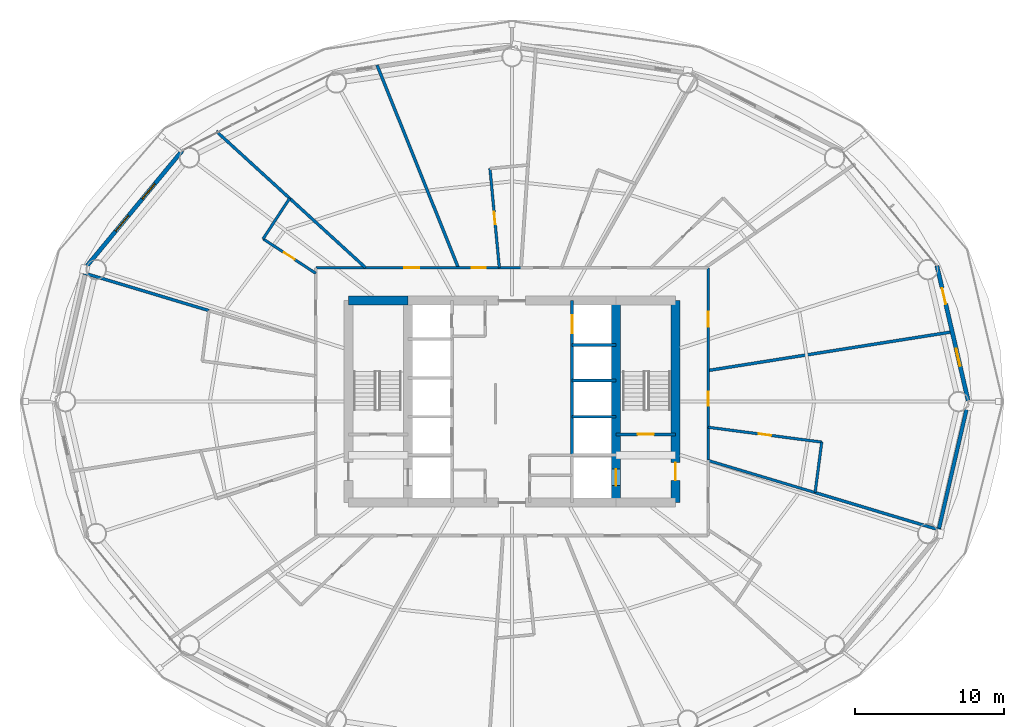
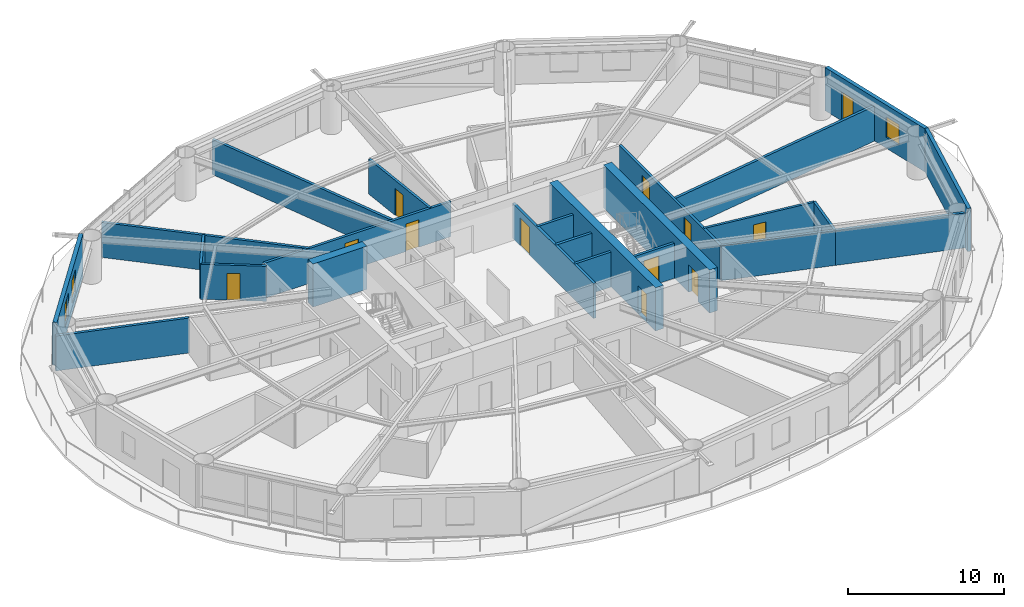
# One storey, part 22 of 26: 24 walls, 12 doors, 3 windows, 15 openings.
"""IFC4 building model written with IfcOpenShell, lengths in metres."""

from ifc_helpers import new_model, si_unit, direction, frame, frame_2d, origin, place, context, subcontext, project, spatial, rectangle, extrude, material, layer, layer_set, type_object, element, fill, save


model = new_model("IFC4")

# Units and contexts
model_context = context("Model", 3, precision=1e-05, world=origin(), true_north=direction((0.0, 1.0)))
body_context = subcontext(model_context, "Body", "Model", "MODEL_VIEW")
ifc_project = project(units=[si_unit("LENGTHUNIT", "METRE"), si_unit("AREAUNIT", "SQUARE_METRE"), si_unit("VOLUMEUNIT", "CUBIC_METRE"), si_unit("PLANEANGLEUNIT", "RADIAN"), si_unit("MASSUNIT", "GRAM", prefix="KILO")], contexts=[model_context])

# Site, building, storey
site_placement = place(None, origin())
site = spatial("IfcSite", under=ifc_project, at=site_placement, CompositionType="ELEMENT")
building_placement = place(site_placement, origin())
building = spatial("IfcBuilding", under=site, at=building_placement, Name="Sarneth Arch Tower", CompositionType="ELEMENT")
storey_placement = place(building_placement, frame((0.0, 0.0, 60.60009765625)))
storey = spatial("IfcBuildingStorey", under=building, at=storey_placement, Name="L14", CompositionType="ELEMENT", Elevation=60.60009765625)

# Wall
ifc_material_1 = material(Name="Concrete C60/75", Category="concrete")
ifc_layer_1 = layer(ifc_material_1, 0.60009765625)
ifc_layer_set_1 = layer_set([ifc_layer_1], Name="Concrete C60/75")
wall_type_1 = type_object("IfcWallType", Name="WALL-CORE-600", PredefinedType="SHEAR", material=ifc_layer_set_1)
wall_1_placement = place(storey_placement, frame((37.0, 48.800048828125, 0.0), z_axis=(0.0, 0.0, 1.0), x_axis=(1.0, 0.0, 0.0)))
element("IfcWall", 1, at=wall_1_placement, inside=storey, type_object=wall_type_1, Name="L14 Core shear wall N-W", PredefinedType="SHEAR", context=body_context, shape_type="SweptSolid", body=[
    extrude(rectangle(XDim=4.0, YDim=0.60009765625, at=frame_2d((2.0, 0.0))), origin(), (0.0, 0.0, 1.0), 3.3798828125),
])

# Wall, opening, door
wall_2_placement = place(storey_placement, frame((59.0, 35.199951171875, 0.0), z_axis=(0.0, 0.0, 1.0), x_axis=(0.0, 1.0, 0.0)))
wall_2 = element("IfcWall", 2, at=wall_2_placement, inside=storey, type_object=wall_type_1, Name="L14 Core shear wall E", PredefinedType="SHEAR", context=body_context, shape_type="SweptSolid", body=[
    extrude(rectangle(XDim=13.60009765625, YDim=0.60009765625, at=frame_2d((6.800048828125, 0.0))), origin(), (0.0, 0.0, 1.0), 3.3798828125),
])
opening_1_placement = place(wall_2_placement, frame((1.5, 0.0, 0.0)))
opening_1 = element("IfcOpeningElement", 3, at=opening_1_placement, cuts=wall_2, Name="Opening FD-02", PredefinedType="OPENING", context=body_context, shape_type="SweptSolid", body=[
    extrude(rectangle(XDim=1.199951171875, YDim=2.14990234375, at=frame_2d((0.60009765625, 1.074951171875))), frame((0.0, 0.31005859375, 0.0), z_axis=(0.0, -1.0, 0.0), x_axis=(1.0, 0.0, 0.0)), (0.0, 0.0, 1.0), 0.6201171875),
])
ifc_material_2 = material(Name="Galvanised Steel S275 fire door set", Category="steel")
door_type_1 = type_object("IfcDoorType", Name="DR-FD90-1200", OperationType="SINGLE_SWING_LEFT", PredefinedType="DOOR", material=ifc_material_2)
door_1_placement = place(opening_1_placement, origin())
door_1 = element("IfcDoor", 4, at=door_1_placement, inside=storey, type_object=door_type_1, Name="L14 Firefighting lobby 2 exit door", OperationType="SINGLE_SWING_RIGHT", OverallHeight=2.14990234375, OverallWidth=1.199951171875, PredefinedType="DOOR", context=body_context, shape_type="SweptSolid", body=[
    extrude(rectangle(XDim=1.199951171875, YDim=2.14990234375, at=frame_2d((0.60009765625, 1.074951171875))), frame((0.0, 0.02490234375, 0.0), z_axis=(0.0, -1.0, 0.0), x_axis=(1.0, 0.0, 0.0)), (0.0, 0.0, 1.0), 0.050048828125),
])
fill(opening_1, door_1)

wall_3_placement = place(storey_placement, frame((55.0, 35.199951171875, 0.0), z_axis=(0.0, 0.0, 1.0), x_axis=(0.0, 1.0, 0.0)))
wall_3 = element("IfcWall", 5, at=wall_3_placement, inside=storey, type_object=wall_type_1, Name="L14 Core shear wall WEB-E", PredefinedType="SHEAR", context=body_context, shape_type="SweptSolid", body=[
    extrude(rectangle(XDim=13.60009765625, YDim=0.60009765625, at=frame_2d((6.800048828125, 0.0))), origin(), (0.0, 0.0, 1.0), 3.3798828125),
])
opening_2_placement = place(wall_3_placement, frame((1.14990234375, 0.0, 0.0)))
opening_2 = element("IfcOpeningElement", 6, at=opening_2_placement, cuts=wall_3, Name="Opening LD-1", PredefinedType="OPENING", context=body_context, shape_type="SweptSolid", body=[
    extrude(rectangle(XDim=1.10009765625, YDim=2.199951171875, at=frame_2d((0.550048828125, 1.10009765625))), frame((0.0, 0.31005859375, 0.0), z_axis=(0.0, -1.0, 0.0), x_axis=(1.0, 0.0, 0.0)), (0.0, 0.0, 1.0), 0.6201171875),
])
ifc_material_3 = material(Name="Brushed Stainless Steel 304 lift landing door", Category="steel")
door_type_2 = type_object("IfcDoorType", Name="DR-LIFT-SLIDE-1100", OperationType="SLIDING_TO_LEFT", PredefinedType="DOOR", material=ifc_material_3)
door_2_placement = place(opening_2_placement, origin())
door_2 = element("IfcDoor", 7, at=door_2_placement, inside=storey, type_object=door_type_2, Name="L14 Firefighting lift landing door FL-2", OperationType="SLIDING_TO_RIGHT", OverallHeight=2.199951171875, OverallWidth=1.10009765625, PredefinedType="DOOR", context=body_context, shape_type="SweptSolid", body=[
    extrude(rectangle(XDim=1.10009765625, YDim=2.199951171875, at=frame_2d((0.550048828125, 1.10009765625))), frame((0.0, 0.02490234375, 0.0), z_axis=(0.0, -1.0, 0.0), x_axis=(1.0, 0.0, 0.0)), (0.0, 0.0, 1.0), 0.050048828125),
])
fill(opening_2, door_2)

# Wall, openings, doors
ifc_material_4 = material(Name="Double steel-stud corridor fire wall", Category="steel")
ifc_layer_2 = layer(ifc_material_4, 0.18994140625)
ifc_layer_set_2 = layer_set([ifc_layer_2], Name="Double steel-stud corridor fire wall")
wall_type_2 = type_object("IfcWallType", Name="WALL-CORR-190", PredefinedType="PARTITIONING", material=ifc_layer_set_2)
wall_4_placement = place(storey_placement, frame((61.199951171875, 51.0, 0.0), z_axis=(0.0, 0.0, 1.0), x_axis=(0.0, -1.0, 0.0)))
wall_4 = element("IfcWall", 8, at=wall_4_placement, inside=storey, type_object=wall_type_2, Name="L14 Interior partition W-L14-TP-002", PredefinedType="PARTITIONING", context=body_context, shape_type="SweptSolid", body=[
    extrude(rectangle(XDim=12.9638671875, YDim=0.18994140625, at=frame_2d((6.48193359375, 0.0))), origin(), (0.0, 0.0, 1.0), 2.739990234375),
])
opening_3_placement = place(wall_4_placement, frame((2.970703125, 0.0, 0.0)))
opening_3 = element("IfcOpeningElement", 9, at=opening_3_placement, cuts=wall_4, Name="Opening FD-08", PredefinedType="OPENING", context=body_context, shape_type="SweptSolid", body=[
    extrude(rectangle(XDim=1.0, YDim=2.199951171875, at=frame_2d((0.5, 1.10009765625))), frame((0.0, 0.10498046875, 0.0), z_axis=(0.0, -1.0, 0.0), x_axis=(1.0, 0.0, 0.0)), (0.0, 0.0, 1.0), 0.2099609375),
])
opening_4_placement = place(wall_4_placement, frame((8.343505859375, 0.0, 0.0)))
opening_4 = element("IfcOpeningElement", 10, at=opening_4_placement, cuts=wall_4, Name="Opening FD-09", PredefinedType="OPENING", context=body_context, shape_type="SweptSolid", body=[
    extrude(rectangle(XDim=0.949951171875, YDim=2.14990234375, at=frame_2d((0.47509765625, 1.074951171875))), frame((0.0, 0.10498046875, 0.0), z_axis=(0.0, -1.0, 0.0), x_axis=(1.0, 0.0, 0.0)), (0.0, 0.0, 1.0), 0.2099609375),
])
ifc_material_5 = material(Name="Hardwood timber acoustic fire door", Category="wood")
door_type_3 = type_object("IfcDoorType", Name="DR-FD60-1000", OperationType="SINGLE_SWING_LEFT", PredefinedType="DOOR", material=ifc_material_5)
door_3_placement = place(opening_3_placement, origin())
door_3 = element("IfcDoor", 11, at=door_3_placement, inside=storey, type_object=door_type_3, Name="L14 Interior door DR-L14-AMN-01", OperationType="SINGLE_SWING_LEFT", OverallHeight=2.199951171875, OverallWidth=1.0, PredefinedType="DOOR", context=body_context, shape_type="SweptSolid", body=[
    extrude(rectangle(XDim=1.0, YDim=2.199951171875, at=frame_2d((0.5, 1.10009765625))), frame((0.0, 0.02490234375, 0.0), z_axis=(0.0, -1.0, 0.0), x_axis=(1.0, 0.0, 0.0)), (0.0, 0.0, 1.0), 0.050048828125),
])
fill(opening_3, door_3)
ifc_material_6 = material(Name="Hardwood timber hotel entrance fire door", Category="wood")
door_type_4 = type_object("IfcDoorType", Name="DR-FD60-950", OperationType="SINGLE_SWING_RIGHT", PredefinedType="DOOR", material=ifc_material_6)
door_4_placement = place(opening_4_placement, origin())
door_4 = element("IfcDoor", 12, at=door_4_placement, inside=storey, type_object=door_type_4, Name="L14 Interior door DR-L14-KEY-14", OperationType="SINGLE_SWING_LEFT", OverallHeight=2.14990234375, OverallWidth=0.949951171875, PredefinedType="DOOR", context=body_context, shape_type="SweptSolid", body=[
    extrude(rectangle(XDim=0.949951171875, YDim=2.14990234375, at=frame_2d((0.47509765625, 1.074951171875))), frame((0.0, 0.02490234375, 0.0), z_axis=(0.0, -1.0, 0.0), x_axis=(1.0, 0.0, 0.0)), (0.0, 0.0, 1.0), 0.050048828125),
])
fill(opening_4, door_4)

wall_5_placement = place(storey_placement, frame((34.800048828125, 51.0, 0.0), z_axis=(0.0, 0.0, 1.0), x_axis=(1.0, 0.0, 0.0)))
wall_5 = element("IfcWall", 13, at=wall_5_placement, inside=storey, type_object=wall_type_2, Name="L14 Interior partition W-L14-TP-009", PredefinedType="PARTITIONING", context=body_context, shape_type="SweptSolid", body=[
    extrude(rectangle(XDim=13.8388671875, YDim=0.18994140625, at=frame_2d((6.91943359375, 0.0))), origin(), (0.0, 0.0, 1.0), 2.739990234375),
])
opening_5_placement = place(wall_5_placement, frame((5.96533203125, 0.0, 0.0)))
opening_5 = element("IfcOpeningElement", 14, at=opening_5_placement, cuts=wall_5, Name="Opening FD-08", PredefinedType="OPENING", context=body_context, shape_type="SweptSolid", body=[
    extrude(rectangle(XDim=1.0, YDim=2.199951171875, at=frame_2d((0.5, 1.10009765625))), frame((0.0, 0.10498046875, 0.0), z_axis=(0.0, -1.0, 0.0), x_axis=(1.0, 0.0, 0.0)), (0.0, 0.0, 1.0), 0.2099609375),
])
opening_6_placement = place(wall_5_placement, frame((10.493408203125, 0.0, 0.0)))
opening_6 = element("IfcOpeningElement", 15, at=opening_6_placement, cuts=wall_5, Name="Opening FD-09", PredefinedType="OPENING", context=body_context, shape_type="SweptSolid", body=[
    extrude(rectangle(XDim=0.949951171875, YDim=2.14990234375, at=frame_2d((0.47509765625, 1.074951171875))), frame((0.0, 0.10498046875, 0.0), z_axis=(0.0, -1.0, 0.0), x_axis=(1.0, 0.0, 0.0)), (0.0, 0.0, 1.0), 0.2099609375),
])
door_5_placement = place(opening_5_placement, origin())
door_5 = element("IfcDoor", 16, at=door_5_placement, inside=storey, type_object=door_type_3, Name="L14 Interior door DR-L14-AMN-05", OperationType="SINGLE_SWING_LEFT", OverallHeight=2.199951171875, OverallWidth=1.0, PredefinedType="DOOR", context=body_context, shape_type="SweptSolid", body=[
    extrude(rectangle(XDim=1.0, YDim=2.199951171875, at=frame_2d((0.5, 1.10009765625))), frame((0.0, 0.02490234375, 0.0), z_axis=(0.0, -1.0, 0.0), x_axis=(1.0, 0.0, 0.0)), (0.0, 0.0, 1.0), 0.050048828125),
])
fill(opening_5, door_5)
door_6_placement = place(opening_6_placement, origin())
door_6 = element("IfcDoor", 17, at=door_6_placement, inside=storey, type_object=door_type_4, Name="L14 Interior door DR-L14-KEY-04", OperationType="SINGLE_SWING_LEFT", OverallHeight=2.14990234375, OverallWidth=0.949951171875, PredefinedType="DOOR", context=body_context, shape_type="SweptSolid", body=[
    extrude(rectangle(XDim=0.949951171875, YDim=2.14990234375, at=frame_2d((0.47509765625, 1.074951171875))), frame((0.0, 0.02490234375, 0.0), z_axis=(0.0, -1.0, 0.0), x_axis=(1.0, 0.0, 0.0)), (0.0, 0.0, 1.0), 0.050048828125),
])
fill(opening_6, door_6)

# Wall
ifc_material_7 = material(Name="Extruded terracotta rainscreen on Concrete C40/50 backing", Category="masonry")
ifc_layer_3 = layer(ifc_material_7, 0.25)
ifc_layer_set_3 = layer_set([ifc_layer_3], Name="Extruded terracotta rainscreen on Concrete C40/50 backing")
wall_type_3 = type_object("IfcWallType", Name="WALL-EXT-SPAND-250", PredefinedType="SOLIDWALL", material=ifc_layer_set_3)
wall_6_placement = place(storey_placement, frame((76.5810546875, 32.861572265625, 0.0), z_axis=(0.0, 0.0, 1.0), x_axis=(0.225454452941, 0.974253709076, 0.0)))
element("IfcWall", 18, at=wall_6_placement, inside=storey, type_object=wall_type_3, Name="L14 Terracotta perimeter wall 16", PredefinedType="SOLIDWALL", context=body_context, shape_type="SweptSolid", body=[
    extrude(rectangle(XDim=9.3798828125, YDim=0.25, at=frame_2d((4.68994140625, 0.0))), origin(), (0.0, 0.0, 1.0), 3.3798828125),
])

# Wall, openings, door, window
ifc_material_8 = material(Name="Extruded terracotta rainscreen on Concrete C40/50 backing", Category="masonry")
ifc_layer_4 = layer(ifc_material_8, 0.280029296875)
ifc_layer_set_4 = layer_set([ifc_layer_4], Name="Extruded terracotta rainscreen on Concrete C40/50 backing")
wall_type_4 = type_object("IfcWallType", Name="WALL-EXT-TERRA-280", PredefinedType="SOLIDWALL", material=ifc_layer_set_4)
wall_7_placement = place(storey_placement, frame((78.69580078125, 42.0, 0.0), z_axis=(0.0, 0.0, 1.0), x_axis=(-0.225454452941, 0.974253709076, 0.0)))
wall_7 = element("IfcWall", 19, at=wall_7_placement, inside=storey, type_object=wall_type_4, Name="L14 Terracotta perimeter wall 01", PredefinedType="SOLIDWALL", context=body_context, shape_type="SweptSolid", body=[
    extrude(rectangle(XDim=9.3798828125, YDim=0.280029296875, at=frame_2d((4.68994140625, 0.0))), origin(), (0.0, 0.0, 1.0), 3.3798828125),
])
opening_7_placement = place(wall_7_placement, frame((2.4521484375, 0.0, 0.85009765625)))
opening_7 = element("IfcOpeningElement", 20, at=opening_7_placement, cuts=wall_7, Name="Opening W-10", PredefinedType="OPENING", context=body_context, shape_type="SweptSolid", body=[
    extrude(rectangle(XDim=1.199951171875, YDim=1.60009765625, at=frame_2d((0.60009765625, 0.800048828125))), frame((0.0, 0.14990234375, 0.0), z_axis=(0.0, -1.0, 0.0), x_axis=(1.0, 0.0, 0.0)), (0.0, 0.0, 1.0), 0.300048828125),
])
opening_8_placement = place(wall_7_placement, frame((6.735107421875, 0.0, 0.0)))
opening_8 = element("IfcOpeningElement", 21, at=opening_8_placement, cuts=wall_7, Name="Opening BD-3", PredefinedType="OPENING", context=body_context, shape_type="SweptSolid", body=[
    extrude(rectangle(XDim=1.10009765625, YDim=2.25, at=frame_2d((0.550048828125, 1.125))), frame((0.0, 0.14990234375, 0.0), z_axis=(0.0, -1.0, 0.0), x_axis=(1.0, 0.0, 0.0)), (0.0, 0.0, 1.0), 0.300048828125),
])
ifc_material_9 = material(Name="Thermally broken Aluminium 6063-T6 and laminated safety glass", Category="aluminium")
door_type_5 = type_object("IfcDoorType", Name="DR-BALC-GLZ-1100", OperationType="SINGLE_SWING_LEFT", PredefinedType="DOOR", material=ifc_material_9)
door_7_placement = place(opening_8_placement, origin())
door_7 = element("IfcDoor", 22, at=door_7_placement, inside=storey, type_object=door_type_5, Name="L14 Balcony glazed door 01", OperationType="SINGLE_SWING_LEFT", OverallHeight=2.25, OverallWidth=1.10009765625, PredefinedType="DOOR", context=body_context, shape_type="SweptSolid", body=[
    extrude(rectangle(XDim=1.10009765625, YDim=2.25, at=frame_2d((0.550048828125, 1.125))), frame((0.0, 0.02490234375, 0.0), z_axis=(0.0, -1.0, 0.0), x_axis=(1.0, 0.0, 0.0)), (0.0, 0.0, 1.0), 0.050048828125),
])
fill(opening_8, door_7)
ifc_material_10 = material(Name="Thermally broken Aluminium 6063-T6 and low-e laminated IGU", Category="aluminium")
window_type_1 = type_object("IfcWindowType", Name="WIN-TWR-1200x1600", PartitioningType="SINGLE_PANEL", PredefinedType="WINDOW", material=ifc_material_10)
window_1_placement = place(opening_7_placement, origin())
window_1 = element("IfcWindow", 23, at=window_1_placement, inside=storey, type_object=window_type_1, Name="L14 Exterior window 01A", OverallHeight=1.60009765625, OverallWidth=1.199951171875, PartitioningType="SINGLE_PANEL", PredefinedType="WINDOW", context=body_context, shape_type="SweptSolid", body=[
    extrude(rectangle(XDim=1.199951171875, YDim=1.60009765625, at=frame_2d((0.60009765625, 0.800048828125))), frame((0.0, 0.030029296875, 0.0), z_axis=(0.0, -1.0, 0.0), x_axis=(1.0, 0.0, 0.0)), (0.0, 0.0, 1.0), 0.06005859375),
])
fill(opening_7, window_1)

# Wall, openings, windows
wall_8_placement = place(storey_placement, frame((25.825927734375, 58.8857421875, 0.0), z_axis=(0.0, 0.0, 1.0), x_axis=(-0.637296809613, -0.770618437657, 0.0)))
wall_8 = element("IfcWall", 24, at=wall_8_placement, inside=storey, type_object=wall_type_4, Name="L14 Terracotta perimeter wall 07", PredefinedType="SOLIDWALL", context=body_context, shape_type="SweptSolid", body=[
    extrude(rectangle(XDim=10.053466796875, YDim=0.280029296875, at=frame_2d((5.02685546875, 0.0))), origin(), (0.0, 0.0, 1.0), 3.3798828125),
])
opening_9_placement = place(wall_8_placement, frame((2.89794921875, 0.0, 0.85009765625)))
opening_9 = element("IfcOpeningElement", 25, at=opening_9_placement, cuts=wall_8, Name="Opening W-08", PredefinedType="OPENING", context=body_context, shape_type="SweptSolid", body=[
    extrude(rectangle(XDim=1.35009765625, YDim=1.800048828125, at=frame_2d((0.675048828125, 0.89990234375))), frame((0.0, 0.14990234375, 0.0), z_axis=(0.0, -1.0, 0.0), x_axis=(1.0, 0.0, 0.0)), (0.0, 0.0, 1.0), 0.300048828125),
])
opening_10_placement = place(wall_8_placement, frame((5.6796875, 0.0, 0.85009765625)))
opening_10 = element("IfcOpeningElement", 26, at=opening_10_placement, cuts=wall_8, Name="Opening W-08", PredefinedType="OPENING", context=body_context, shape_type="SweptSolid", body=[
    extrude(rectangle(XDim=1.35009765625, YDim=1.800048828125, at=frame_2d((0.675048828125, 0.89990234375))), frame((0.0, 0.14990234375, 0.0), z_axis=(0.0, -1.0, 0.0), x_axis=(1.0, 0.0, 0.0)), (0.0, 0.0, 1.0), 0.300048828125),
])
ifc_material_11 = material(Name="Thermally broken Aluminium 6063-T6 and low-e laminated IGU", Category="aluminium")
window_type_2 = type_object("IfcWindowType", Name="WIN-TWR-1350x1800", PartitioningType="SINGLE_PANEL", PredefinedType="WINDOW", material=ifc_material_11)
window_2_placement = place(opening_9_placement, origin())
window_2 = element("IfcWindow", 27, at=window_2_placement, inside=storey, type_object=window_type_2, Name="L14 Exterior window 07A", OverallHeight=1.800048828125, OverallWidth=1.35009765625, PartitioningType="SINGLE_PANEL", PredefinedType="WINDOW", context=body_context, shape_type="SweptSolid", body=[
    extrude(rectangle(XDim=1.35009765625, YDim=1.800048828125, at=frame_2d((0.675048828125, 0.89990234375))), frame((0.0, 0.030029296875, 0.0), z_axis=(0.0, -1.0, 0.0), x_axis=(1.0, 0.0, 0.0)), (0.0, 0.0, 1.0), 0.06005859375),
])
fill(opening_9, window_2)
window_3_placement = place(opening_10_placement, origin())
window_3 = element("IfcWindow", 28, at=window_3_placement, inside=storey, type_object=window_type_2, Name="L14 Exterior window 07B", OverallHeight=1.800048828125, OverallWidth=1.35009765625, PartitioningType="SINGLE_PANEL", PredefinedType="WINDOW", context=body_context, shape_type="SweptSolid", body=[
    extrude(rectangle(XDim=1.35009765625, YDim=1.800048828125, at=frame_2d((0.675048828125, 0.89990234375))), frame((0.0, 0.030029296875, 0.0), z_axis=(0.0, -1.0, 0.0), x_axis=(1.0, 0.0, 0.0)), (0.0, 0.0, 1.0), 0.06005859375),
])
fill(opening_10, window_3)

# Wall, opening, door
ifc_material_12 = material(Name="Moisture-resistant plumbing chase wall", Category="gypsum")
ifc_layer_5 = layer(ifc_material_12, 0.179931640625)
ifc_layer_set_5 = layer_set([ifc_layer_5], Name="Moisture-resistant plumbing chase wall")
wall_type_5 = type_object("IfcWallType", Name="WALL-PLUMB-180", PredefinedType="PLUMBINGWALL", material=ifc_layer_set_5)
wall_9_placement = place(storey_placement, frame((61.199951171875, 40.272216796875, 0.0), z_axis=(0.0, 0.0, 1.0), x_axis=(0.991543548491, -0.129774386708, 0.0)))
wall_9 = element("IfcWall", 29, at=wall_9_placement, inside=storey, type_object=wall_type_5, Name="L14 Interior partition W-L14-TP-071", PredefinedType="PLUMBINGWALL", context=body_context, shape_type="SweptSolid", body=[
    extrude(rectangle(XDim=7.6982421875, YDim=0.179931640625, at=frame_2d((3.84912109375, 0.0))), origin(), (0.0, 0.0, 1.0), 2.739990234375),
])
opening_11_placement = place(wall_9_placement, frame((3.424072265625, 0.0, 0.0)))
opening_11 = element("IfcOpeningElement", 30, at=opening_11_placement, cuts=wall_9, Name="Opening ID-02", PredefinedType="OPENING", context=body_context, shape_type="SweptSolid", body=[
    extrude(rectangle(XDim=0.85009765625, YDim=2.10009765625, at=frame_2d((0.425048828125, 1.050048828125))), frame((0.0, 0.099853515625, 0.0), z_axis=(0.0, -1.0, 0.0), x_axis=(1.0, 0.0, 0.0)), (0.0, 0.0, 1.0), 0.199951171875),
])
ifc_material_13 = material(Name="Moisture-resistant bathroom timber door", Category="wood")
door_type_6 = type_object("IfcDoorType", Name="DR-INT-850", OperationType="SINGLE_SWING_RIGHT", PredefinedType="DOOR", material=ifc_material_13)
door_8_placement = place(opening_11_placement, origin())
door_8 = element("IfcDoor", 31, at=door_8_placement, inside=storey, type_object=door_type_6, Name="L14 Interior door DR-L14-ENS-14", OperationType="SINGLE_SWING_LEFT", OverallHeight=2.10009765625, OverallWidth=0.85009765625, PredefinedType="DOOR", context=body_context, shape_type="SweptSolid", body=[
    extrude(rectangle(XDim=0.85009765625, YDim=2.10009765625, at=frame_2d((0.425048828125, 1.050048828125))), frame((0.0, 0.02490234375, 0.0), z_axis=(0.0, -1.0, 0.0), x_axis=(1.0, 0.0, 0.0)), (0.0, 0.0, 1.0), 0.050048828125),
])
fill(opening_11, door_8)

# Wall
wall_10_placement = place(storey_placement, frame((68.388427734375, 35.877685546875, 0.0), z_axis=(0.0, 0.0, 1.0), x_axis=(-0.95775642604, 0.28758064674, 0.0)))
element("IfcWall", 32, at=wall_10_placement, inside=storey, type_object=wall_type_5, Name="L14 Interior partition W-L14-TP-070", PredefinedType="PLUMBINGWALL", context=body_context, shape_type="SweptSolid", body=[
    extrude(rectangle(XDim=7.505615234375, YDim=0.179931640625, at=frame_2d((3.7529296875, 0.0))), origin(), (0.0, 0.0, 1.0), 2.739990234375),
])

# Wall, opening, door
wall_11_placement = place(storey_placement, frame((46.518310546875, 57.673828125, 0.0), z_axis=(0.0, 0.0, 1.0), x_axis=(0.094107851527, -0.995562008255, 0.0)))
wall_11 = element("IfcWall", 33, at=wall_11_placement, inside=storey, type_object=wall_type_5, Name="L14 Interior partition W-L14-TP-041", PredefinedType="PLUMBINGWALL", context=body_context, shape_type="SweptSolid", body=[
    extrude(rectangle(XDim=6.70361328125, YDim=0.179931640625, at=frame_2d((3.351806640625, 0.0))), origin(), (0.0, 0.0, 1.0), 2.739990234375),
])
opening_12_placement = place(wall_11_placement, frame((2.9267578125, 0.0, 0.0)))
opening_12 = element("IfcOpeningElement", 34, at=opening_12_placement, cuts=wall_11, Name="Opening ID-02", PredefinedType="OPENING", context=body_context, shape_type="SweptSolid", body=[
    extrude(rectangle(XDim=0.85009765625, YDim=2.10009765625, at=frame_2d((0.425048828125, 1.050048828125))), frame((0.0, 0.099853515625, 0.0), z_axis=(0.0, -1.0, 0.0), x_axis=(1.0, 0.0, 0.0)), (0.0, 0.0, 1.0), 0.199951171875),
])
door_9_placement = place(opening_12_placement, origin())
door_9 = element("IfcDoor", 35, at=door_9_placement, inside=storey, type_object=door_type_6, Name="L14 Interior door DR-L14-ENS-04", OperationType="SINGLE_SWING_RIGHT", OverallHeight=2.10009765625, OverallWidth=0.85009765625, PredefinedType="DOOR", context=body_context, shape_type="SweptSolid", body=[
    extrude(rectangle(XDim=0.85009765625, YDim=2.10009765625, at=frame_2d((0.425048828125, 1.050048828125))), frame((0.0, 0.02490234375, 0.0), z_axis=(0.0, -1.0, 0.0), x_axis=(1.0, 0.0, 0.0)), (0.0, 0.0, 1.0), 0.050048828125),
])
fill(opening_12, door_9)

wall_12_placement = place(storey_placement, frame((31.25830078125, 52.943603515625, 0.0), z_axis=(0.0, 0.0, 1.0), x_axis=(0.837031612028, -0.5471545307, 0.0)))
wall_12 = element("IfcWall", 36, at=wall_12_placement, inside=storey, type_object=wall_type_5, Name="L14 Interior partition W-L14-TP-046", PredefinedType="PLUMBINGWALL", context=body_context, shape_type="SweptSolid", body=[
    extrude(rectangle(XDim=4.231201171875, YDim=0.179931640625, at=frame_2d((2.11572265625, 0.0))), origin(), (0.0, 0.0, 1.0), 2.739990234375),
])
opening_13_placement = place(wall_12_placement, frame((1.690673828125, 0.0, 0.0)))
opening_13 = element("IfcOpeningElement", 37, at=opening_13_placement, cuts=wall_12, Name="Opening ID-02", PredefinedType="OPENING", context=body_context, shape_type="SweptSolid", body=[
    extrude(rectangle(XDim=0.85009765625, YDim=2.10009765625, at=frame_2d((0.425048828125, 1.050048828125))), frame((0.0, 0.099853515625, 0.0), z_axis=(0.0, -1.0, 0.0), x_axis=(1.0, 0.0, 0.0)), (0.0, 0.0, 1.0), 0.199951171875),
])
door_10_placement = place(opening_13_placement, origin())
door_10 = element("IfcDoor", 38, at=door_10_placement, inside=storey, type_object=door_type_6, Name="L14 Interior door DR-L14-ENS-06", OperationType="SINGLE_SWING_LEFT", OverallHeight=2.10009765625, OverallWidth=0.85009765625, PredefinedType="DOOR", context=body_context, shape_type="SweptSolid", body=[
    extrude(rectangle(XDim=0.85009765625, YDim=2.10009765625, at=frame_2d((0.425048828125, 1.050048828125))), frame((0.0, 0.02490234375, 0.0), z_axis=(0.0, -1.0, 0.0), x_axis=(1.0, 0.0, 0.0)), (0.0, 0.0, 1.0), 0.050048828125),
])
fill(opening_13, door_10)

# Walls
wall_13_placement = place(storey_placement, frame((68.8330078125, 39.273193359375, 0.0), z_axis=(0.0, 0.0, 1.0), x_axis=(-0.129823772588, -0.991537083558, 0.0)))
element("IfcWall", 39, at=wall_13_placement, inside=storey, type_object=wall_type_5, Name="L14 Interior partition W-L14-TP-072", PredefinedType="PLUMBINGWALL", context=body_context, shape_type="SweptSolid", body=[
    extrude(rectangle(XDim=3.424560546875, YDim=0.179931640625, at=frame_2d((1.71240234375, 0.0))), origin(), (0.0, 0.0, 1.0), 2.739990234375),
])
wall_14_placement = place(storey_placement, frame((33.0419921875, 55.672119140625, 0.0), z_axis=(0.0, 0.0, 1.0), x_axis=(-0.547176717469, -0.837017108463, 0.0)))
element("IfcWall", 40, at=wall_14_placement, inside=storey, type_object=wall_type_5, Name="L14 Interior partition W-L14-TP-045", PredefinedType="PLUMBINGWALL", context=body_context, shape_type="SweptSolid", body=[
    extrude(rectangle(XDim=3.259765625, YDim=0.179931640625, at=frame_2d((1.6298828125, 0.0))), origin(), (0.0, 0.0, 1.0), 2.739990234375),
])

# Wall, opening, door
ifc_material_14 = material(Name="Aerated concrete blockwork C25/30", Category="masonry")
ifc_layer_6 = layer(ifc_material_14, 0.199951171875)
ifc_layer_set_6 = layer_set([ifc_layer_6], Name="Aerated concrete blockwork C25/30")
wall_type_6 = type_object("IfcWallType", Name="WALL-SHAFT-200", PredefinedType="SOLIDWALL", material=ifc_layer_set_6)
wall_15_placement = place(storey_placement, frame((55.0, 39.800048828125, 0.0), z_axis=(0.0, 0.0, 1.0), x_axis=(1.0, 0.0, 0.0)))
wall_15 = element("IfcWall", 41, at=wall_15_placement, inside=storey, type_object=wall_type_6, Name="L14 Interior partition W-L14-ST2-S", PredefinedType="SOLIDWALL", context=body_context, shape_type="SweptSolid", body=[
    extrude(rectangle(XDim=4.0, YDim=0.199951171875, at=frame_2d((2.0, 0.0))), origin(), (0.0, 0.0, 1.0), 2.739990234375),
])
opening_14_placement = place(wall_15_placement, frame((1.449951171875, 0.0, 0.0)))
opening_14 = element("IfcOpeningElement", 42, at=opening_14_placement, cuts=wall_15, Name="Opening FD-03", PredefinedType="OPENING", context=body_context, shape_type="SweptSolid", body=[
    extrude(rectangle(XDim=1.10009765625, YDim=2.14990234375, at=frame_2d((0.550048828125, 1.074951171875))), frame((0.0, 0.10986328125, 0.0), z_axis=(0.0, -1.0, 0.0), x_axis=(1.0, 0.0, 0.0)), (0.0, 0.0, 1.0), 0.219970703125),
])
ifc_material_15 = material(Name="Galvanised Steel S275 fire door set", Category="steel")
door_type_7 = type_object("IfcDoorType", Name="DR-FD90-1100", OperationType="SINGLE_SWING_LEFT", PredefinedType="DOOR", material=ifc_material_15)
door_11_placement = place(opening_14_placement, origin())
door_11 = element("IfcDoor", 43, at=door_11_placement, inside=storey, type_object=door_type_7, Name="L14 Interior door DR-L14-ST2", OperationType="SINGLE_SWING_RIGHT", OverallHeight=2.14990234375, OverallWidth=1.10009765625, PredefinedType="DOOR", context=body_context, shape_type="SweptSolid", body=[
    extrude(rectangle(XDim=1.10009765625, YDim=2.14990234375, at=frame_2d((0.550048828125, 1.074951171875))), frame((0.0, 0.02490234375, 0.0), z_axis=(0.0, -1.0, 0.0), x_axis=(1.0, 0.0, 0.0)), (0.0, 0.0, 1.0), 0.050048828125),
])
fill(opening_14, door_11)

wall_16_placement = place(storey_placement, frame((52.050048828125, 38.39990234375, 0.0), z_axis=(0.0, 0.0, 1.0), x_axis=(0.0, 1.0, 0.0)))
wall_16 = element("IfcWall", 44, at=wall_16_placement, inside=storey, type_object=wall_type_6, Name="L14 Interior partition W-L14-EASTBANK-FRONT", PredefinedType="SOLIDWALL", context=body_context, shape_type="SweptSolid", body=[
    extrude(rectangle(XDim=10.400146484375, YDim=0.199951171875, at=frame_2d((5.2001953125, 0.0))), origin(), (0.0, 0.0, 1.0), 2.739990234375),
])
opening_15_placement = place(wall_16_placement, frame((8.199951171875, 0.0, 0.0)))
opening_15 = element("IfcOpeningElement", 45, at=opening_15_placement, cuts=wall_16, Name="Opening LD-2", PredefinedType="OPENING", context=body_context, shape_type="SweptSolid", body=[
    extrude(rectangle(XDim=1.199951171875, YDim=2.199951171875, at=frame_2d((0.60009765625, 1.10009765625))), frame((0.0, 0.10986328125, 0.0), z_axis=(0.0, -1.0, 0.0), x_axis=(1.0, 0.0, 0.0)), (0.0, 0.0, 1.0), 0.219970703125),
])
ifc_material_16 = material(Name="Brushed Stainless Steel 304 service lift door", Category="steel")
door_type_8 = type_object("IfcDoorType", Name="DR-LIFT-SLIDE-1200", OperationType="SLIDING_TO_RIGHT", PredefinedType="DOOR", material=ifc_material_16)
door_12_placement = place(opening_15_placement, origin())
door_12 = element("IfcDoor", 46, at=door_12_placement, inside=storey, type_object=door_type_8, Name="L14 Lift landing door DR-L14-LD-SL1", OperationType="SLIDING_TO_RIGHT", OverallHeight=2.199951171875, OverallWidth=1.199951171875, PredefinedType="DOOR", context=body_context, shape_type="SweptSolid", body=[
    extrude(rectangle(XDim=1.199951171875, YDim=2.199951171875, at=frame_2d((0.60009765625, 1.10009765625))), frame((0.0, 0.02490234375, 0.0), z_axis=(0.0, -1.0, 0.0), x_axis=(1.0, 0.0, 0.0)), (0.0, 0.0, 1.0), 0.050048828125),
])
fill(opening_15, door_12)

# Walls
for number, where, z_axis, x_axis, name in (
    (47, (52.050048828125, 40.97998046875, 0.0), (0.0, 0.0, 1.0), (1.0, 0.0, 0.0), "L14 Interior partition W-L14-EB-DIV-4098"),
    (48, (52.050048828125, 43.419921875, 0.0), (0.0, 0.0, 1.0), (1.0, 0.0, 0.0), "L14 Interior partition W-L14-EB-DIV-4342"),
    (49, (52.050048828125, 45.800048828125, 0.0), (0.0, 0.0, 1.0), (1.0, 0.0, 0.0), "L14 Interior partition W-L14-EB-DIV-4580"),
):
    element("IfcWall", number, at=place(storey_placement, frame(where, z_axis=z_axis, x_axis=x_axis)), inside=storey, type_object=wall_type_6, Name=name, PredefinedType="SOLIDWALL", context=body_context, shape_type="SweptSolid", body=[
        extrude(rectangle(XDim=2.949951171875, YDim=0.199951171875, at=frame_2d((1.47509765625, 0.0))), origin(), (0.0, 0.0, 1.0), 2.739990234375),
    ])
ifc_material_17 = material(Name="Double steel-stud acoustic drywall", Category="steel")
ifc_layer_7 = layer(ifc_material_17, 0.199951171875)
ifc_layer_set_7 = layer_set([ifc_layer_7], Name="Double steel-stud acoustic drywall")
wall_type_7 = type_object("IfcWallType", Name="WALL-UNIT-200", PredefinedType="PARTITIONING", material=ifc_layer_set_7)
wall_17_placement = place(storey_placement, frame((61.199951171875, 44.0908203125, 0.0), z_axis=(0.0, 0.0, 1.0), x_axis=(0.987690823911, 0.156418785194, 0.0)))
element("IfcWall", 50, at=wall_17_placement, inside=storey, type_object=wall_type_7, Name="L14 Interior partition W-L14-TP-031", PredefinedType="PARTITIONING", context=body_context, shape_type="SweptSolid", body=[
    extrude(rectangle(XDim=16.735107421875, YDim=0.199951171875, at=frame_2d((8.36767578125, 0.0))), origin(), (0.0, 0.0, 1.0), 2.739990234375),
])
wall_18_placement = place(storey_placement, frame((44.389892578125, 51.0, 0.0), z_axis=(0.0, 0.0, 1.0), x_axis=(-0.372301847193, 0.928111703717, 0.0)))
element("IfcWall", 51, at=wall_18_placement, inside=storey, type_object=wall_type_7, Name="L14 Interior partition W-L14-TP-042", PredefinedType="PARTITIONING", context=body_context, shape_type="SweptSolid", body=[
    extrude(rectangle(XDim=14.687744140625, YDim=0.199951171875, at=frame_2d((7.34375, 0.0))), origin(), (0.0, 0.0, 1.0), 2.739990234375),
])
for number, where, z_axis, x_axis, name in (
    (52, (76.816162109375, 33.346923828125, 0.0), (0.0, 0.0, 1.0), (-0.957749889613, 0.287602414708, 0.0), "L14 Interior partition W-L14-TP-069"),
    (53, (19.183837890625, 50.653076171875, 0.0), (0.0, 0.0, 1.0), (0.957749889613, -0.287602414708, 0.0), "L14 Interior partition W-L14-TP-047"),
):
    element("IfcWall", number, at=place(storey_placement, frame(where, z_axis=z_axis, x_axis=x_axis)), inside=storey, type_object=wall_type_7, Name=name, PredefinedType="PARTITIONING", context=body_context, shape_type="SweptSolid", body=[
        extrude(rectangle(XDim=8.799560546875, YDim=0.199951171875, at=frame_2d((4.39990234375, 0.0))), origin(), (0.0, 0.0, 1.0), 2.739990234375),
    ])
wall_19_placement = place(storey_placement, frame((38.153564453125, 51.0, 0.0), z_axis=(0.0, 0.0, 1.0), x_axis=(-0.738119160364, 0.674670367738, 0.0)))
element("IfcWall", 54, at=wall_19_placement, inside=storey, type_object=wall_type_7, Name="L14 Interior partition W-L14-TP-044", PredefinedType="PARTITIONING", context=body_context, shape_type="SweptSolid", body=[
    extrude(rectangle(XDim=13.60986328125, YDim=0.199951171875, at=frame_2d((6.804931640625, 0.0))), origin(), (0.0, 0.0, 1.0), 2.739990234375),
])

save(model, "model.ifc")
